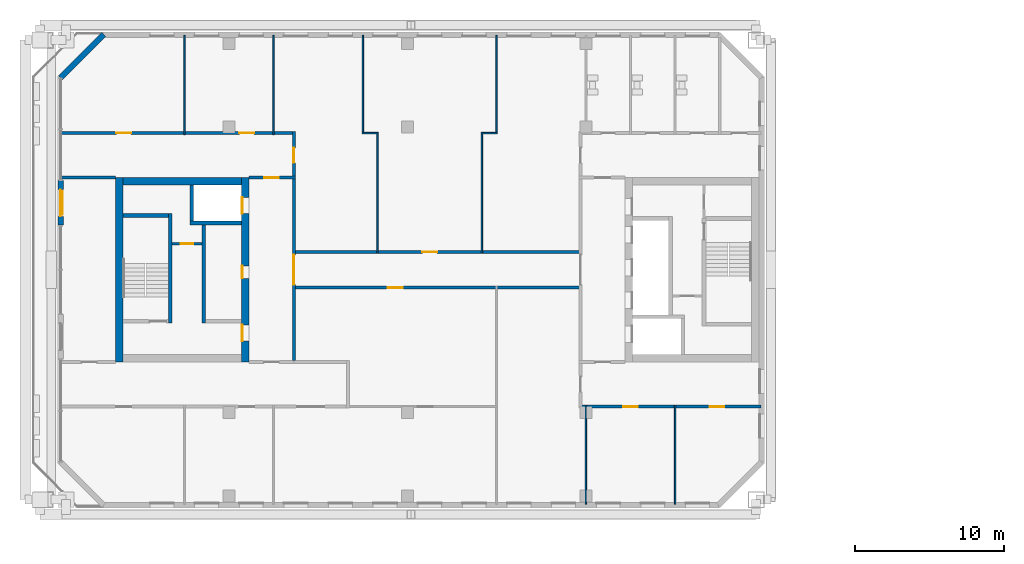
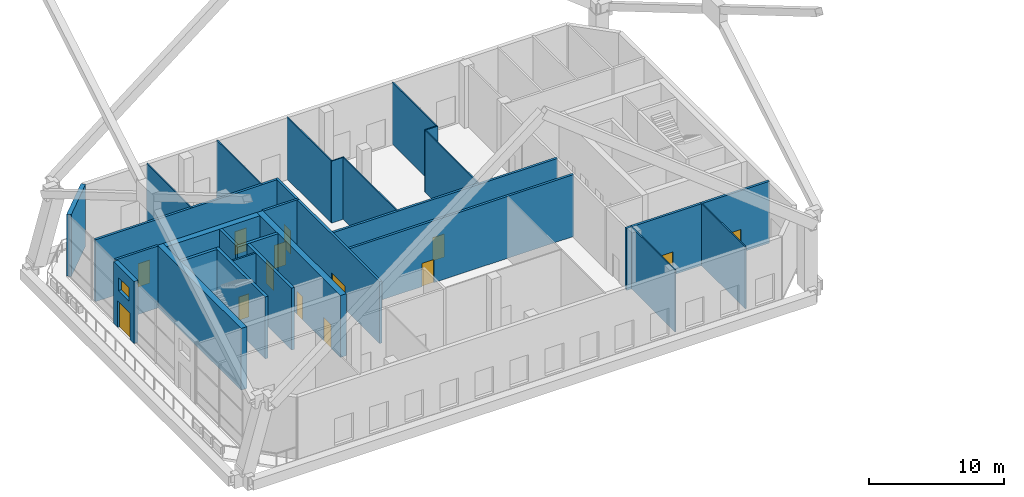
# One storey, part 10 of 20: 29 walls, 14 doors, 1 window, 15 openings.
"""IFC4 building model written with IfcOpenShell, lengths in metres."""

from ifc_helpers import new_model, si_unit, direction, frame, frame_2d, origin, place, context, subcontext, project, spatial, rectangle, extrude, material, layer, layer_set, type_object, element, fill, save


model = new_model("IFC4")

# Units and contexts
model_context = context("Model", 3, precision=1e-05, world=origin(), true_north=direction((0.0, 1.0)))
body_context = subcontext(model_context, "Body", "Model", "MODEL_VIEW")
ifc_project = project(units=[si_unit("LENGTHUNIT", "METRE"), si_unit("AREAUNIT", "SQUARE_METRE"), si_unit("VOLUMEUNIT", "CUBIC_METRE"), si_unit("PLANEANGLEUNIT", "RADIAN"), si_unit("MASSUNIT", "GRAM", prefix="KILO")], contexts=[model_context])

# Site, building, storey
site_placement = place(None, origin())
site = spatial("IfcSite", under=ifc_project, at=site_placement, CompositionType="ELEMENT")
building_placement = place(site_placement, origin())
building = spatial("IfcBuilding", under=site, at=building_placement, Name="Tuart Gate Housing", CompositionType="ELEMENT")
storey_placement = place(building_placement, frame((0.0, 0.0, 142.300048828125)))
storey = spatial("IfcBuildingStorey", under=building, at=storey_placement, Name="L40", CompositionType="ELEMENT", Elevation=142.300048828125)

# Wall
ifc_material_1 = material(Name="Brick", Category="masonry")
ifc_layer_1 = layer(ifc_material_1, 0.360107421875)
ifc_layer_set_1 = layer_set([ifc_layer_1], Name="Brick pier and spandrel wall 360")
wall_type_1 = type_object("IfcWallType", Name="Brick pier and spandrel wall 360", PredefinedType="STANDARD", material=ifc_layer_set_1)
wall_1_placement = place(storey_placement, frame((31.57470703125, 85.820068359375, 0.0), z_axis=(0.0, 0.0, 1.0), x_axis=(-0.707106781187, -0.707106781187, 0.0)))
element("IfcWall", 1, at=wall_1_placement, inside=storey, type_object=wall_type_1, Name="External wall A-NW L40", PredefinedType="STANDARD", context=body_context, shape_type="SweptSolid", body=[
    extrude(rectangle(XDim=4.09375, YDim=0.360107421875, at=frame_2d((2.046875, 0.0))), origin(), (0.0, 0.0, 1.0), 5.599853515625),
])

# Wall, openings, door, window
wall_2_placement = place(storey_placement, frame((28.679931640625, 76.0, 0.0), z_axis=(0.0, 0.0, 1.0), x_axis=(0.0, -1.0, 0.0)))
wall_2 = element("IfcWall", 2, at=wall_2_placement, inside=storey, type_object=wall_type_1, Name="External wall A-W L40", PredefinedType="STANDARD", context=body_context, shape_type="SweptSolid", body=[
    extrude(rectangle(XDim=3.0, YDim=0.360107421875, at=frame_2d((1.5, 0.0))), origin(), (0.0, 0.0, 1.0), 5.599853515625),
])
opening_1_placement = place(wall_2_placement, frame((0.699951171875, 0.0, 3.39990234375)))
opening_1 = element("IfcOpeningElement", 3, at=opening_1_placement, cuts=wall_2, Name="Opening W3", PredefinedType="OPENING", context=body_context, shape_type="SweptSolid", body=[
    extrude(rectangle(XDim=1.60009765625, YDim=1.199951171875, at=frame_2d((0.800048828125, 0.60009765625))), frame((0.0, 0.18994140625, 0.0), z_axis=(0.0, -1.0, 0.0), x_axis=(1.0, 0.0, 0.0)), (0.0, 0.0, 1.0), 0.380126953125),
])
opening_2_placement = place(wall_2_placement, frame((0.60009765625, 0.0, 0.0)))
opening_2 = element("IfcOpeningElement", 4, at=opening_2_placement, cuts=wall_2, Name="Opening D2940", PredefinedType="OPENING", context=body_context, shape_type="SweptSolid", body=[
    extrude(rectangle(XDim=1.800048828125, YDim=2.39990234375, at=frame_2d((0.89990234375, 1.199951171875))), frame((0.0, 0.18994140625, 0.0), z_axis=(0.0, -1.0, 0.0), x_axis=(1.0, 0.0, 0.0)), (0.0, 0.0, 1.0), 0.380126953125),
])
ifc_material_2 = material(Name="Aluminium framed glazed door", Category="aluminium")
door_type_1 = type_object("IfcDoorType", Name="Entrance door 1800 x 2400", OperationType="DOUBLE_DOOR_SINGLE_SWING", PredefinedType="DOOR", material=ifc_material_2)
door_1_placement = place(opening_2_placement, frame((1.800048828125, 0.0, 0.0), z_axis=(0.0, 0.0, 1.0), x_axis=(-1.0, 0.0, 0.0)))
door_1 = element("IfcDoor", 5, at=door_1_placement, inside=storey, type_object=door_type_1, Name="Leg A terrace door L40 1", OperationType="DOUBLE_DOOR_SINGLE_SWING", OverallHeight=2.39990234375, OverallWidth=1.800048828125, PredefinedType="DOOR", context=body_context, shape_type="SweptSolid", body=[
    extrude(rectangle(XDim=1.800048828125, YDim=2.39990234375, at=frame_2d((0.900146484375, 1.199951171875))), frame((0.0, 0.025146484375, 0.0), z_axis=(0.0, -1.0, 0.0), x_axis=(1.0, 0.0, 0.0)), (0.0, 0.0, 1.0), 0.050048828125),
])
fill(opening_2, door_1)
ifc_material_3 = material(Name="Aluminium louvre blades", Category="aluminium")
window_type = type_object("IfcWindowType", Name="Louvre window 1600 x 1200", PartitioningType="DOUBLE_PANEL_HORIZONTAL", PredefinedType="WINDOW", material=ifc_material_3)
window_placement = place(opening_1_placement, origin())
window = element("IfcWindow", 6, at=window_placement, inside=storey, type_object=window_type, Name="Louvre W3", OverallHeight=1.199951171875, OverallWidth=1.60009765625, PartitioningType="DOUBLE_PANEL_HORIZONTAL", PredefinedType="WINDOW", context=body_context, shape_type="SweptSolid", body=[
    extrude(rectangle(XDim=1.60009765625, YDim=1.199951171875, at=frame_2d((0.800048828125, 0.60009765625))), frame((0.0, 0.150146484375, 0.0), z_axis=(0.0, -1.0, 0.0), x_axis=(1.0, 0.0, 0.0)), (0.0, 0.0, 1.0), 0.06005859375),
])
fill(opening_1, window)

# Wall, opening, door
ifc_material_4 = material(Name="Plasterboard partition")
ifc_layer_2 = layer(ifc_material_4, 0.14990234375)
ifc_layer_set_2 = layer_set([ifc_layer_2], Name="Core partition 150")
wall_type_2 = type_object("IfcWallType", Name="Core partition 150", PredefinedType="PARTITIONING", material=ifc_layer_set_2)
wall_3_placement = place(storey_placement, frame((38.18505859375, 71.75, 0.0), z_axis=(0.0, 0.0, 1.0), x_axis=(-1.0, 0.0, 0.0)))
wall_3 = element("IfcWall", 7, at=wall_3_placement, inside=storey, type_object=wall_type_2, Name="Core partition AK.3", PredefinedType="PARTITIONING", context=body_context, shape_type="SweptSolid", body=[
    extrude(rectangle(XDim=2.0, YDim=0.14990234375, at=frame_2d((1.0, 0.0))), origin(), (0.0, 0.0, 1.0), 5.599853515625),
])
opening_3_placement = place(wall_3_placement, frame((0.574951171875, 0.0, 0.0)))
opening_3 = element("IfcOpeningElement", 8, at=opening_3_placement, cuts=wall_3, Name="Opening D2941", PredefinedType="OPENING", context=body_context, shape_type="SweptSolid", body=[
    extrude(rectangle(XDim=0.85009765625, YDim=2.10009765625, at=frame_2d((0.425048828125, 1.050048828125))), frame((0.0, 0.0849609375, 0.0), z_axis=(0.0, -1.0, 0.0), x_axis=(1.0, 0.0, 0.0)), (0.0, 0.0, 1.0), 0.169921875),
])
ifc_material_5 = material(Name="Steel fire door", Category="steel")
door_type_2 = type_object("IfcDoorType", Name="Riser door 850 x 2100 RH", OperationType="SINGLE_SWING_RIGHT", PredefinedType="DOOR", material=ifc_material_5)
door_2_placement = place(opening_3_placement, frame((0.85009765625, 0.0, 0.0), z_axis=(0.0, 0.0, 1.0), x_axis=(-1.0, 0.0, 0.0)))
door_2 = element("IfcDoor", 9, at=door_2_placement, inside=storey, type_object=door_type_2, Name="Service room door AK.E1", OperationType="SINGLE_SWING_RIGHT", OverallHeight=2.10009765625, OverallWidth=0.85009765625, PredefinedType="DOOR", context=body_context, shape_type="SweptSolid", body=[
    extrude(rectangle(XDim=0.85009765625, YDim=2.10009765625, at=frame_2d((0.425048828125, 1.050048828125))), frame((0.0, 0.025146484375, 0.0), z_axis=(0.0, -1.0, 0.0), x_axis=(1.0, 0.0, 0.0)), (0.0, 0.0, 1.0), 0.050048828125),
])
fill(opening_3, door_2)

# Walls
ifc_material_6 = material(Name="Concrete C40", Category="concrete")
ifc_layer_3 = layer(ifc_material_6, 0.25)
ifc_layer_set_3 = layer_set([ifc_layer_3], Name="Core wall 250 C40")
wall_type_3 = type_object("IfcWallType", Name="Core wall 250 C40", PredefinedType="SHEAR", material=ifc_layer_set_3)
wall_4_placement = place(storey_placement, frame((35.93505859375, 73.64990234375, 0.0), z_axis=(0.0, 0.0, 1.0), x_axis=(-1.0, 0.0, 0.0)))
element("IfcWall", 10, at=wall_4_placement, inside=storey, type_object=wall_type_3, Name="Core wall AK.1", PredefinedType="SHEAR", context=body_context, shape_type="SweptSolid", body=[
    extrude(rectangle(XDim=3.074951171875, YDim=0.25, at=frame_2d((1.53759765625, 0.0))), origin(), (0.0, 0.0, 1.0), 5.599853515625),
])
wall_5_placement = place(storey_placement, frame((40.860107421875, 73.14990234375, 0.0), z_axis=(0.0, 0.0, 1.0), x_axis=(-1.0, 0.0, 0.0)))
element("IfcWall", 11, at=wall_5_placement, inside=storey, type_object=wall_type_3, Name="Core wall AK.2", PredefinedType="SHEAR", context=body_context, shape_type="SweptSolid", body=[
    extrude(rectangle(XDim=3.4951171875, YDim=0.25, at=frame_2d((1.74755859375, 0.0))), origin(), (0.0, 0.0, 1.0), 5.599853515625),
])
wall_6_placement = place(storey_placement, frame((38.31005859375, 73.02490234375, 0.0), z_axis=(0.0, 0.0, 1.0), x_axis=(0.0, -1.0, 0.0)))
element("IfcWall", 12, at=wall_6_placement, inside=storey, type_object=wall_type_3, Name="Core wall AK.6", PredefinedType="SHEAR", context=body_context, shape_type="SweptSolid", body=[
    extrude(rectangle(XDim=6.599853515625, YDim=0.25, at=frame_2d((3.2998046875, 0.0))), origin(), (0.0, 0.0, 1.0), 5.599853515625),
])
wall_7_placement = place(storey_placement, frame((37.489990234375, 75.699951171875, 0.0), z_axis=(0.0, 0.0, 1.0), x_axis=(0.0, -1.0, 0.0)))
element("IfcWall", 13, at=wall_7_placement, inside=storey, type_object=wall_type_3, Name="Core wall AK.7", PredefinedType="SHEAR", context=body_context, shape_type="SweptSolid", body=[
    extrude(rectangle(XDim=2.425048828125, YDim=0.25, at=frame_2d((1.21240234375, 0.0))), origin(), (0.0, 0.0, 1.0), 5.599853515625),
])
wall_8_placement = place(storey_placement, frame((36.06005859375, 73.77490234375, 0.0), z_axis=(0.0, 0.0, 1.0), x_axis=(0.0, -1.0, 0.0)))
element("IfcWall", 14, at=wall_8_placement, inside=storey, type_object=wall_type_3, Name="Core wall AK.8", PredefinedType="SHEAR", context=body_context, shape_type="SweptSolid", body=[
    extrude(rectangle(XDim=7.349853515625, YDim=0.25, at=frame_2d((3.6748046875, 0.0))), origin(), (0.0, 0.0, 1.0), 5.599853515625),
])

# Wall, openings, doors
ifc_material_7 = material(Name="Concrete C40", Category="concrete")
ifc_layer_4 = layer(ifc_material_7, 0.5)
ifc_layer_set_4 = layer_set([ifc_layer_4], Name="Core wall 500 C40")
wall_type_4 = type_object("IfcWallType", Name="Core wall 500 C40", PredefinedType="SHEAR", material=ifc_layer_set_4)
wall_9_placement = place(storey_placement, frame((41.110107421875, 76.199951171875, 0.0), z_axis=(0.0, 0.0, 1.0), x_axis=(0.0, -1.0, 0.0)))
wall_9 = element("IfcWall", 15, at=wall_9_placement, inside=storey, type_object=wall_type_4, Name="Core wall AK front", PredefinedType="SHEAR", context=body_context, shape_type="SweptSolid", body=[
    extrude(rectangle(XDim=12.39990234375, YDim=0.5, at=frame_2d((6.199951171875, 0.0))), origin(), (0.0, 0.0, 1.0), 5.599853515625),
])
opening_4_placement = place(wall_9_placement, frame((1.324951171875, 0.0, 0.0)))
opening_4 = element("IfcOpeningElement", 16, at=opening_4_placement, cuts=wall_9, Name="Opening LD-FA2", PredefinedType="OPENING", context=body_context, shape_type="SweptSolid", body=[
    extrude(rectangle(XDim=1.10009765625, YDim=2.10009765625, at=frame_2d((0.550048828125, 1.050048828125))), frame((0.0, 0.260009765625, 0.0), z_axis=(0.0, -1.0, 0.0), x_axis=(1.0, 0.0, 0.0)), (0.0, 0.0, 1.0), 0.52001953125),
])
opening_5_placement = place(wall_9_placement, frame((5.925048828125, 0.0, 0.0)))
opening_5 = element("IfcOpeningElement", 17, at=opening_5_placement, cuts=wall_9, Name="Opening D2944", PredefinedType="OPENING", context=body_context, shape_type="SweptSolid", body=[
    extrude(rectangle(XDim=0.85009765625, YDim=2.10009765625, at=frame_2d((0.425048828125, 1.050048828125))), frame((0.0, 0.260009765625, 0.0), z_axis=(0.0, -1.0, 0.0), x_axis=(1.0, 0.0, 0.0)), (0.0, 0.0, 1.0), 0.52001953125),
])
opening_6_placement = place(wall_9_placement, frame((9.89990234375, 0.0, 0.0)))
opening_6 = element("IfcOpeningElement", 18, at=opening_6_placement, cuts=wall_9, Name="Opening D2943", PredefinedType="OPENING", context=body_context, shape_type="SweptSolid", body=[
    extrude(rectangle(XDim=1.10009765625, YDim=2.10009765625, at=frame_2d((0.550048828125, 1.050048828125))), frame((0.0, 0.260009765625, 0.0), z_axis=(0.0, -1.0, 0.0), x_axis=(1.0, 0.0, 0.0)), (0.0, 0.0, 1.0), 0.52001953125),
])
ifc_material_8 = material(Name="Stainless steel", Category="steel")
door_type_3 = type_object("IfcDoorType", Name="Landing door 1100 x 2100", OperationType="DOUBLE_DOOR_SLIDING", PredefinedType="DOOR", material=ifc_material_8)
door_3_placement = place(opening_4_placement, origin())
door_3 = element("IfcDoor", 19, at=door_3_placement, inside=storey, type_object=door_type_3, Name="Lift landing door FA2", OperationType="DOUBLE_DOOR_SLIDING", OverallHeight=2.10009765625, OverallWidth=1.10009765625, PredefinedType="DOOR", context=body_context, shape_type="SweptSolid", body=[
    extrude(rectangle(XDim=1.10009765625, YDim=2.10009765625, at=frame_2d((0.550048828125, 1.050048828125))), frame((0.0, -0.18505859375, 0.0), z_axis=(0.0, -1.0, 0.0), x_axis=(1.0, 0.0, 0.0)), (0.0, 0.0, 1.0), 0.050048828125),
])
fill(opening_4, door_3)
ifc_material_9 = material(Name="Steel fire door", Category="steel")
door_type_4 = type_object("IfcDoorType", Name="Lobby door 1100 x 2100 RH", OperationType="SINGLE_SWING_RIGHT", PredefinedType="DOOR", material=ifc_material_9)
door_4_placement = place(opening_6_placement, frame((1.10009765625, 0.0, 0.0), z_axis=(0.0, 0.0, 1.0), x_axis=(-1.0, 0.0, 0.0)))
door_4 = element("IfcDoor", 20, at=door_4_placement, inside=storey, type_object=door_type_4, Name="Lobby entry door AK.EN", OperationType="SINGLE_SWING_RIGHT", OverallHeight=2.10009765625, OverallWidth=1.10009765625, PredefinedType="DOOR", context=body_context, shape_type="SweptSolid", body=[
    extrude(rectangle(XDim=1.10009765625, YDim=2.10009765625, at=frame_2d((0.550048828125, 1.050048828125))), frame((0.0, 0.235107421875, 0.0), z_axis=(0.0, -1.0, 0.0), x_axis=(1.0, 0.0, 0.0)), (0.0, 0.0, 1.0), 0.050048828125),
])
fill(opening_6, door_4)
ifc_material_10 = material(Name="Steel fire door", Category="steel")
door_type_5 = type_object("IfcDoorType", Name="Service door 850 x 2100 RH", OperationType="SINGLE_SWING_RIGHT", PredefinedType="DOOR", material=ifc_material_10)
door_5_placement = place(opening_5_placement, frame((0.85009765625, 0.0, 0.0), z_axis=(0.0, 0.0, 1.0), x_axis=(-1.0, 0.0, 0.0)))
door_5 = element("IfcDoor", 21, at=door_5_placement, inside=storey, type_object=door_type_5, Name="Service room door AK.FR1", OperationType="SINGLE_SWING_RIGHT", OverallHeight=2.10009765625, OverallWidth=0.85009765625, PredefinedType="DOOR", context=body_context, shape_type="SweptSolid", body=[
    extrude(rectangle(XDim=0.85009765625, YDim=2.10009765625, at=frame_2d((0.425048828125, 1.050048828125))), frame((0.0, 0.235107421875, 0.0), z_axis=(0.0, -1.0, 0.0), x_axis=(1.0, 0.0, 0.0)), (0.0, 0.0, 1.0), 0.050048828125),
])
fill(opening_5, door_5)

# Walls
wall_10_placement = place(storey_placement, frame((32.610107421875, 76.199951171875, 0.0), z_axis=(0.0, 0.0, 1.0), x_axis=(0.0, -1.0, 0.0)))
element("IfcWall", 22, at=wall_10_placement, inside=storey, type_object=wall_type_4, Name="Core wall AK back", PredefinedType="SHEAR", context=body_context, shape_type="SweptSolid", body=[
    extrude(rectangle(XDim=12.39990234375, YDim=0.5, at=frame_2d((6.199951171875, 0.0))), origin(), (0.0, 0.0, 1.0), 5.599853515625),
])
wall_11_placement = place(storey_placement, frame((40.860107421875, 75.949951171875, 0.0), z_axis=(0.0, 0.0, 1.0), x_axis=(-1.0, 0.0, 0.0)))
element("IfcWall", 23, at=wall_11_placement, inside=storey, type_object=wall_type_4, Name="Core wall AK south", PredefinedType="SHEAR", context=body_context, shape_type="SweptSolid", body=[
    extrude(rectangle(XDim=8.0, YDim=0.5, at=frame_2d((4.0, 0.0))), origin(), (0.0, 0.0, 1.0), 5.599853515625),
])

# Wall, openings, doors
ifc_material_11 = material(Name="Concrete masonry 15 MPa", Category="masonry")
ifc_layer_5 = layer(ifc_material_11, 0.199951171875)
ifc_layer_set_5 = layer_set([ifc_layer_5], Name="Corridor wall masonry 200")
wall_type_5 = type_object("IfcWallType", Name="Corridor wall masonry 200", PredefinedType="PARTITIONING", material=ifc_layer_set_5)
wall_12_placement = place(storey_placement, frame((63.5400390625, 60.800048828125, 0.0), z_axis=(0.0, 0.0, 1.0), x_axis=(1.0, 0.0, 0.0)))
wall_12 = element("IfcWall", 24, at=wall_12_placement, inside=storey, type_object=wall_type_5, Name="Corridor wall masonry 200", PredefinedType="PARTITIONING", context=body_context, shape_type="SweptSolid", body=[
    extrude(rectangle(XDim=12.219970703125, YDim=0.199951171875, at=frame_2d((6.10986328125, 0.0))), origin(), (0.0, 0.0, 1.0), 5.599853515625),
])
opening_7_placement = place(wall_12_placement, frame((2.9599609375, 0.0, 0.0)))
opening_7 = element("IfcOpeningElement", 25, at=opening_7_placement, cuts=wall_12, Name="Opening D2961", PredefinedType="OPENING", context=body_context, shape_type="SweptSolid", body=[
    extrude(rectangle(XDim=1.0, YDim=2.10009765625, at=frame_2d((0.5, 1.050048828125))), frame((0.0, 0.10986328125, 0.0), z_axis=(0.0, -1.0, 0.0), x_axis=(1.0, 0.0, 0.0)), (0.0, 0.0, 1.0), 0.219970703125),
])
opening_8_placement = place(wall_12_placement, frame((8.780029296875, 0.0, 0.0)))
opening_8 = element("IfcOpeningElement", 26, at=opening_8_placement, cuts=wall_12, Name="Opening D2962", PredefinedType="OPENING", context=body_context, shape_type="SweptSolid", body=[
    extrude(rectangle(XDim=1.0, YDim=2.10009765625, at=frame_2d((0.5, 1.050048828125))), frame((0.0, 0.10986328125, 0.0), z_axis=(0.0, -1.0, 0.0), x_axis=(1.0, 0.0, 0.0)), (0.0, 0.0, 1.0), 0.219970703125),
])
ifc_material_12 = material(Name="Timber door leaf in steel frame", Category="steel")
door_type_6 = type_object("IfcDoorType", Name="Fire door 1000 RH", OperationType="SINGLE_SWING_RIGHT", PredefinedType="DOOR", material=ifc_material_12)
door_6_placement = place(opening_7_placement, frame((1.0, 0.0, 0.0), z_axis=(0.0, 0.0, 1.0), x_axis=(-1.0, 0.0, 0.0)))
door_6 = element("IfcDoor", 27, at=door_6_placement, inside=storey, type_object=door_type_6, Name="Fire door 1000", OperationType="SINGLE_SWING_RIGHT", OverallHeight=2.10009765625, OverallWidth=1.0, PredefinedType="DOOR", context=body_context, shape_type="SweptSolid", body=[
    extrude(rectangle(XDim=1.0, YDim=2.10009765625, at=frame_2d((0.5, 1.050048828125))), frame((0.0, 0.025146484375, 0.0), z_axis=(0.0, -1.0, 0.0), x_axis=(1.0, 0.0, 0.0)), (0.0, 0.0, 1.0), 0.050048828125),
])
fill(opening_7, door_6)
door_7_placement = place(opening_8_placement, frame((1.0, 0.0, 0.0), z_axis=(0.0, 0.0, 1.0), x_axis=(-1.0, 0.0, 0.0)))
door_7 = element("IfcDoor", 28, at=door_7_placement, inside=storey, type_object=door_type_6, Name="Fire door 1000", OperationType="SINGLE_SWING_RIGHT", OverallHeight=2.10009765625, OverallWidth=1.0, PredefinedType="DOOR", context=body_context, shape_type="SweptSolid", body=[
    extrude(rectangle(XDim=1.0, YDim=2.10009765625, at=frame_2d((0.5, 1.050048828125))), frame((0.0, 0.025146484375, 0.0), z_axis=(0.0, -1.0, 0.0), x_axis=(1.0, 0.0, 0.0)), (0.0, 0.0, 1.0), 0.050048828125),
])
fill(opening_8, door_7)

# Wall, opening, door
wall_13_placement = place(storey_placement, frame((44.360107421875, 68.800048828125, 0.0), z_axis=(0.0, 0.0, 1.0), x_axis=(1.0, 0.0, 0.0)))
wall_13 = element("IfcWall", 29, at=wall_13_placement, inside=storey, type_object=wall_type_5, Name="Corridor wall masonry 200", PredefinedType="PARTITIONING", context=body_context, shape_type="SweptSolid", body=[
    extrude(rectangle(XDim=19.27978515625, YDim=0.199951171875, at=frame_2d((9.639892578125, 0.0))), origin(), (0.0, 0.0, 1.0), 5.599853515625),
])
opening_9_placement = place(wall_13_placement, frame((6.320068359375, 0.0, 0.0)))
opening_9 = element("IfcOpeningElement", 30, at=opening_9_placement, cuts=wall_13, Name="Opening D2949", PredefinedType="OPENING", context=body_context, shape_type="SweptSolid", body=[
    extrude(rectangle(XDim=1.0, YDim=2.10009765625, at=frame_2d((0.5, 1.050048828125))), frame((0.0, 0.10986328125, 0.0), z_axis=(0.0, -1.0, 0.0), x_axis=(1.0, 0.0, 0.0)), (0.0, 0.0, 1.0), 0.219970703125),
])
door_8_placement = place(opening_9_placement, frame((1.0, 0.0, 0.0), z_axis=(0.0, 0.0, 1.0), x_axis=(-1.0, 0.0, 0.0)))
door_8 = element("IfcDoor", 31, at=door_8_placement, inside=storey, type_object=door_type_6, Name="Fire door 1000", OperationType="SINGLE_SWING_RIGHT", OverallHeight=2.10009765625, OverallWidth=1.0, PredefinedType="DOOR", context=body_context, shape_type="SweptSolid", body=[
    extrude(rectangle(XDim=1.0, YDim=2.10009765625, at=frame_2d((0.5, 1.050048828125))), frame((0.0, 0.025146484375, 0.0), z_axis=(0.0, -1.0, 0.0), x_axis=(1.0, 0.0, 0.0)), (0.0, 0.0, 1.0), 0.050048828125),
])
fill(opening_9, door_8)

wall_14_placement = place(storey_placement, frame((44.360107421875, 71.199951171875, 0.0), z_axis=(0.0, 0.0, 1.0), x_axis=(1.0, 0.0, 0.0)))
wall_14 = element("IfcWall", 32, at=wall_14_placement, inside=storey, type_object=wall_type_5, Name="Corridor wall masonry 200", PredefinedType="PARTITIONING", context=body_context, shape_type="SweptSolid", body=[
    extrude(rectangle(XDim=19.27978515625, YDim=0.199951171875, at=frame_2d((9.639892578125, 0.0))), origin(), (0.0, 0.0, 1.0), 5.599853515625),
])
opening_10_placement = place(wall_14_placement, frame((8.639892578125, 0.0, 0.0)))
opening_10 = element("IfcOpeningElement", 33, at=opening_10_placement, cuts=wall_14, Name="Opening D2942", PredefinedType="OPENING", context=body_context, shape_type="SweptSolid", body=[
    extrude(rectangle(XDim=1.0, YDim=2.10009765625, at=frame_2d((0.5, 1.050048828125))), frame((0.0, 0.10986328125, 0.0), z_axis=(0.0, -1.0, 0.0), x_axis=(1.0, 0.0, 0.0)), (0.0, 0.0, 1.0), 0.219970703125),
])
ifc_material_13 = material(Name="Timber door leaf in steel frame", Category="steel")
door_type_7 = type_object("IfcDoorType", Name="Fire door 1000", OperationType="SINGLE_SWING_LEFT", PredefinedType="DOOR", material=ifc_material_13)
door_9_placement = place(opening_10_placement, origin())
door_9 = element("IfcDoor", 34, at=door_9_placement, inside=storey, type_object=door_type_7, Name="Fire door 1000", OperationType="SINGLE_SWING_LEFT", OverallHeight=2.10009765625, OverallWidth=1.0, PredefinedType="DOOR", context=body_context, shape_type="SweptSolid", body=[
    extrude(rectangle(XDim=1.0, YDim=2.10009765625, at=frame_2d((0.5, 1.050048828125))), frame((0.0, 0.02490234375, 0.0), z_axis=(0.0, -1.0, 0.0), x_axis=(1.0, 0.0, 0.0)), (0.0, 0.0, 1.0), 0.050048828125),
])
fill(opening_10, door_9)

# Wall
wall_15_placement = place(storey_placement, frame((28.739990234375, 76.199951171875, 0.0), z_axis=(0.0, 0.0, 1.0), x_axis=(1.0, 0.0, 0.0)))
element("IfcWall", 35, at=wall_15_placement, inside=storey, type_object=wall_type_5, Name="Corridor wall masonry 200", PredefinedType="PARTITIONING", context=body_context, shape_type="SweptSolid", body=[
    extrude(rectangle(XDim=3.6201171875, YDim=0.199951171875, at=frame_2d((1.81005859375, 0.0))), origin(), (0.0, 0.0, 1.0), 5.599853515625),
])

# Wall, openings, doors
wall_16_placement = place(storey_placement, frame((28.739990234375, 79.199951171875, 0.0), z_axis=(0.0, 0.0, 1.0), x_axis=(1.0, 0.0, 0.0)))
wall_16 = element("IfcWall", 36, at=wall_16_placement, inside=storey, type_object=wall_type_5, Name="Corridor wall masonry 200", PredefinedType="PARTITIONING", context=body_context, shape_type="SweptSolid", body=[
    extrude(rectangle(XDim=15.719970703125, YDim=0.199951171875, at=frame_2d((7.85986328125, 0.0))), origin(), (0.0, 0.0, 1.0), 5.599853515625),
])
opening_11_placement = place(wall_16_placement, frame((3.68994140625, 0.0, 0.0)))
opening_11 = element("IfcOpeningElement", 37, at=opening_11_placement, cuts=wall_16, Name="Opening D2929", PredefinedType="OPENING", context=body_context, shape_type="SweptSolid", body=[
    extrude(rectangle(XDim=1.0, YDim=2.10009765625, at=frame_2d((0.5, 1.050048828125))), frame((0.0, 0.10986328125, 0.0), z_axis=(0.0, -1.0, 0.0), x_axis=(1.0, 0.0, 0.0)), (0.0, 0.0, 1.0), 0.219970703125),
])
opening_12_placement = place(wall_16_placement, frame((11.9599609375, 0.0, 0.0)))
opening_12 = element("IfcOpeningElement", 38, at=opening_12_placement, cuts=wall_16, Name="Opening D2930", PredefinedType="OPENING", context=body_context, shape_type="SweptSolid", body=[
    extrude(rectangle(XDim=1.0, YDim=2.10009765625, at=frame_2d((0.5, 1.050048828125))), frame((0.0, 0.10986328125, 0.0), z_axis=(0.0, -1.0, 0.0), x_axis=(1.0, 0.0, 0.0)), (0.0, 0.0, 1.0), 0.219970703125),
])
door_10_placement = place(opening_11_placement, origin())
door_10 = element("IfcDoor", 39, at=door_10_placement, inside=storey, type_object=door_type_6, Name="Fire door 1000", OperationType="SINGLE_SWING_RIGHT", OverallHeight=2.10009765625, OverallWidth=1.0, PredefinedType="DOOR", context=body_context, shape_type="SweptSolid", body=[
    extrude(rectangle(XDim=1.0, YDim=2.10009765625, at=frame_2d((0.5, 1.050048828125))), frame((0.0, 0.02490234375, 0.0), z_axis=(0.0, -1.0, 0.0), x_axis=(1.0, 0.0, 0.0)), (0.0, 0.0, 1.0), 0.050048828125),
])
fill(opening_11, door_10)
door_11_placement = place(opening_12_placement, origin())
door_11 = element("IfcDoor", 40, at=door_11_placement, inside=storey, type_object=door_type_6, Name="Fire door 1000", OperationType="SINGLE_SWING_RIGHT", OverallHeight=2.10009765625, OverallWidth=1.0, PredefinedType="DOOR", context=body_context, shape_type="SweptSolid", body=[
    extrude(rectangle(XDim=1.0, YDim=2.10009765625, at=frame_2d((0.5, 1.050048828125))), frame((0.0, 0.02490234375, 0.0), z_axis=(0.0, -1.0, 0.0), x_axis=(1.0, 0.0, 0.0)), (0.0, 0.0, 1.0), 0.050048828125),
])
fill(opening_12, door_11)

# Wall, opening, door
wall_17_placement = place(storey_placement, frame((44.360107421875, 76.10009765625, 0.0), z_axis=(0.0, 0.0, 1.0), x_axis=(0.0, 1.0, 0.0)))
wall_17 = element("IfcWall", 41, at=wall_17_placement, inside=storey, type_object=wall_type_5, Name="Corridor wall masonry 200", PredefinedType="PARTITIONING", context=body_context, shape_type="SweptSolid", body=[
    extrude(rectangle(XDim=3.199951171875, YDim=0.199951171875, at=frame_2d((1.60009765625, 0.0))), origin(), (0.0, 0.0, 1.0), 5.599853515625),
])
opening_13_placement = place(wall_17_placement, frame((1.10009765625, 0.0, 0.0)))
opening_13 = element("IfcOpeningElement", 42, at=opening_13_placement, cuts=wall_17, Name="Opening D2935", PredefinedType="OPENING", context=body_context, shape_type="SweptSolid", body=[
    extrude(rectangle(XDim=1.0, YDim=2.10009765625, at=frame_2d((0.5, 1.050048828125))), frame((0.0, 0.10986328125, 0.0), z_axis=(0.0, -1.0, 0.0), x_axis=(1.0, 0.0, 0.0)), (0.0, 0.0, 1.0), 0.219970703125),
])
door_12_placement = place(opening_13_placement, frame((1.0, 0.0, 0.0), z_axis=(0.0, 0.0, 1.0), x_axis=(-1.0, 0.0, 0.0)))
door_12 = element("IfcDoor", 43, at=door_12_placement, inside=storey, type_object=door_type_6, Name="Fire door 1000", OperationType="SINGLE_SWING_RIGHT", OverallHeight=2.10009765625, OverallWidth=1.0, PredefinedType="DOOR", context=body_context, shape_type="SweptSolid", body=[
    extrude(rectangle(XDim=1.0, YDim=2.10009765625, at=frame_2d((0.5, 1.050048828125))), frame((0.0, 0.025146484375, 0.0), z_axis=(0.0, -1.0, 0.0), x_axis=(1.0, 0.0, 0.0)), (0.0, 0.0, 1.0), 0.050048828125),
])
fill(opening_13, door_12)

ifc_material_14 = material(Name="Concrete masonry 15 MPa", Category="masonry")
ifc_layer_6 = layer(ifc_material_14, 0.199951171875)
ifc_layer_set_6 = layer_set([ifc_layer_6], Name="Enclosure wall masonry 200")
wall_type_6 = type_object("IfcWallType", Name="Enclosure wall masonry 200", PredefinedType="PARTITIONING", material=ifc_layer_set_6)
wall_18_placement = place(storey_placement, frame((41.360107421875, 76.199951171875, 0.0), z_axis=(0.0, 0.0, 1.0), x_axis=(1.0, 0.0, 0.0)))
wall_18 = element("IfcWall", 44, at=wall_18_placement, inside=storey, type_object=wall_type_6, Name="Enclosure wall masonry 200", PredefinedType="PARTITIONING", context=body_context, shape_type="SweptSolid", body=[
    extrude(rectangle(XDim=3.099853515625, YDim=0.199951171875, at=frame_2d((1.5498046875, 0.0))), origin(), (0.0, 0.0, 1.0), 5.599853515625),
])
opening_14_placement = place(wall_18_placement, frame((1.0, 0.0, 0.0)))
opening_14 = element("IfcOpeningElement", 45, at=opening_14_placement, cuts=wall_18, Name="Opening D2937", PredefinedType="OPENING", context=body_context, shape_type="SweptSolid", body=[
    extrude(rectangle(XDim=1.0, YDim=2.10009765625, at=frame_2d((0.5, 1.050048828125))), frame((0.0, 0.10986328125, 0.0), z_axis=(0.0, -1.0, 0.0), x_axis=(1.0, 0.0, 0.0)), (0.0, 0.0, 1.0), 0.219970703125),
])
ifc_material_15 = material(Name="Timber door leaf in steel frame", Category="steel")
door_type_8 = type_object("IfcDoorType", Name="Lobby door 1000 RH", OperationType="SINGLE_SWING_RIGHT", PredefinedType="DOOR", material=ifc_material_15)
door_13_placement = place(opening_14_placement, origin())
door_13 = element("IfcDoor", 46, at=door_13_placement, inside=storey, type_object=door_type_8, Name="Lobby door 1000", OperationType="SINGLE_SWING_RIGHT", OverallHeight=2.10009765625, OverallWidth=1.0, PredefinedType="DOOR", context=body_context, shape_type="SweptSolid", body=[
    extrude(rectangle(XDim=1.0, YDim=2.10009765625, at=frame_2d((0.5, 1.050048828125))), frame((0.0, 0.02490234375, 0.0), z_axis=(0.0, -1.0, 0.0), x_axis=(1.0, 0.0, 0.0)), (0.0, 0.0, 1.0), 0.050048828125),
])
fill(opening_14, door_13)

ifc_material_16 = material(Name="Plasterboard partition")
ifc_layer_7 = layer(ifc_material_16, 0.199951171875)
ifc_layer_set_7 = layer_set([ifc_layer_7], Name="Lobby wall 200")
wall_type_7 = type_object("IfcWallType", Name="Lobby wall 200", PredefinedType="PARTITIONING", material=ifc_layer_set_7)
wall_19_placement = place(storey_placement, frame((44.360107421875, 63.89990234375, 0.0), z_axis=(0.0, 0.0, 1.0), x_axis=(0.0, 1.0, 0.0)))
wall_19 = element("IfcWall", 47, at=wall_19_placement, inside=storey, type_object=wall_type_7, Name="Lift lobby wall AK", PredefinedType="PARTITIONING", context=body_context, shape_type="SweptSolid", body=[
    extrude(rectangle(XDim=12.2001953125, YDim=0.199951171875, at=frame_2d((6.10009765625, 0.0))), origin(), (0.0, 0.0, 1.0), 5.599853515625),
])
opening_15_placement = place(wall_19_placement, frame((5.10009765625, 0.0, 0.0)))
opening_15 = element("IfcOpeningElement", 48, at=opening_15_placement, cuts=wall_19, Name="Opening D2945", PredefinedType="OPENING", context=body_context, shape_type="SweptSolid", body=[
    extrude(rectangle(XDim=2.0, YDim=2.10009765625, at=frame_2d((1.0, 1.050048828125))), frame((0.0, 0.10986328125, 0.0), z_axis=(0.0, -1.0, 0.0), x_axis=(1.0, 0.0, 0.0)), (0.0, 0.0, 1.0), 0.219970703125),
])
ifc_material_17 = material(Name="Steel fire door", Category="steel")
door_type_9 = type_object("IfcDoorType", Name="Smoke door 2000 x 2100", OperationType="DOUBLE_DOOR_SINGLE_SWING", PredefinedType="DOOR", material=ifc_material_17)
door_14_placement = place(opening_15_placement, origin())
door_14 = element("IfcDoor", 49, at=door_14_placement, inside=storey, type_object=door_type_9, Name="Lift lobby smoke door AK", OperationType="DOUBLE_DOOR_SINGLE_SWING", OverallHeight=2.10009765625, OverallWidth=2.0, PredefinedType="DOOR", context=body_context, shape_type="SweptSolid", body=[
    extrude(rectangle(XDim=2.0, YDim=2.10009765625, at=frame_2d((1.0, 1.050048828125))), frame((0.0, 0.02490234375, 0.0), z_axis=(0.0, -1.0, 0.0), x_axis=(1.0, 0.0, 0.0)), (0.0, 0.0, 1.0), 0.050048828125),
])
fill(opening_15, door_14)

# Walls
ifc_material_18 = material(Name="Gypsum board on steel studs", Category="steel")
ifc_layer_8 = layer(ifc_material_18, 0.10009765625)
ifc_layer_set_8 = layer_set([ifc_layer_8], Name="Partition 100")
wall_type_8 = type_object("IfcWallType", Name="Partition 100", PredefinedType="PARTITIONING", material=ifc_layer_set_8)
for number, where, z_axis, x_axis, name in (
    (50, (48.949951171875, 79.199951171875, 0.0), (0.0, 0.0, 1.0), (1.0, 0.0, 0.0), "Partition 100"),
    (51, (56.949951171875, 79.199951171875, 0.0), (0.0, 0.0, 1.0), (1.0, 0.0, 0.0), "Partition 100"),
):
    element("IfcWall", number, at=place(storey_placement, frame(where, z_axis=z_axis, x_axis=x_axis)), inside=storey, type_object=wall_type_8, Name=name, PredefinedType="PARTITIONING", context=body_context, shape_type="SweptSolid", body=[
        extrude(rectangle(XDim=1.10009765625, YDim=0.10009765625, at=frame_2d((0.550048828125, 0.0))), origin(), (0.0, 0.0, 1.0), 5.599853515625),
    ])
for number, where, z_axis, x_axis, name in (
    (52, (37.0, 79.10009765625, 0.0), (0.0, 0.0, 1.0), (0.0, 1.0, 0.0), "Partition 100"),
    (53, (43.0, 79.10009765625, 0.0), (0.0, 0.0, 1.0), (0.0, 1.0, 0.0), "Partition 100"),
):
    element("IfcWall", number, at=place(storey_placement, frame(where, z_axis=z_axis, x_axis=x_axis)), inside=storey, type_object=wall_type_8, Name=name, PredefinedType="PARTITIONING", context=body_context, shape_type="SweptSolid", body=[
        extrude(rectangle(XDim=6.659912109375, YDim=0.10009765625, at=frame_2d((3.330078125, 0.0))), origin(), (0.0, 0.0, 1.0), 5.599853515625),
    ])
wall_20_placement = place(storey_placement, frame((49.0, 79.14990234375, 0.0), z_axis=(0.0, 0.0, 1.0), x_axis=(0.0, 1.0, 0.0)))
element("IfcWall", 54, at=wall_20_placement, inside=storey, type_object=wall_type_8, Name="Partition 100", PredefinedType="PARTITIONING", context=body_context, shape_type="SweptSolid", body=[
    extrude(rectangle(XDim=6.610107421875, YDim=0.10009765625, at=frame_2d((3.30517578125, 0.0))), origin(), (0.0, 0.0, 1.0), 5.599853515625),
])
for number, where, z_axis, x_axis, name in (
    (55, (50.0, 71.10009765625, 0.0), (0.0, 0.0, 1.0), (0.0, 1.0, 0.0), "Partition 100"),
    (56, (57.0, 71.10009765625, 0.0), (0.0, 0.0, 1.0), (0.0, 1.0, 0.0), "Partition 100"),
):
    element("IfcWall", number, at=place(storey_placement, frame(where, z_axis=z_axis, x_axis=x_axis)), inside=storey, type_object=wall_type_8, Name=name, PredefinedType="PARTITIONING", context=body_context, shape_type="SweptSolid", body=[
        extrude(rectangle(XDim=8.14990234375, YDim=0.10009765625, at=frame_2d((4.074951171875, 0.0))), origin(), (0.0, 0.0, 1.0), 5.599853515625),
    ])
wall_21_placement = place(storey_placement, frame((58.0, 79.14990234375, 0.0), z_axis=(0.0, 0.0, 1.0), x_axis=(0.0, 1.0, 0.0)))
element("IfcWall", 57, at=wall_21_placement, inside=storey, type_object=wall_type_8, Name="Partition 100", PredefinedType="PARTITIONING", context=body_context, shape_type="SweptSolid", body=[
    extrude(rectangle(XDim=6.610107421875, YDim=0.10009765625, at=frame_2d((3.30517578125, 0.0))), origin(), (0.0, 0.0, 1.0), 5.599853515625),
])
for number, where, z_axis, x_axis, name in (
    (58, (64.0, 54.239990234375, 0.0), (0.0, 0.0, 1.0), (0.0, 1.0, 0.0), "Partition 100"),
    (59, (70.0, 54.239990234375, 0.0), (0.0, 0.0, 1.0), (0.0, 1.0, 0.0), "Partition 100"),
):
    element("IfcWall", number, at=place(storey_placement, frame(where, z_axis=z_axis, x_axis=x_axis)), inside=storey, type_object=wall_type_8, Name=name, PredefinedType="PARTITIONING", context=body_context, shape_type="SweptSolid", body=[
        extrude(rectangle(XDim=6.659912109375, YDim=0.10009765625, at=frame_2d((3.330078125, 0.0))), origin(), (0.0, 0.0, 1.0), 5.599853515625),
    ])

save(model, "model.ifc")
